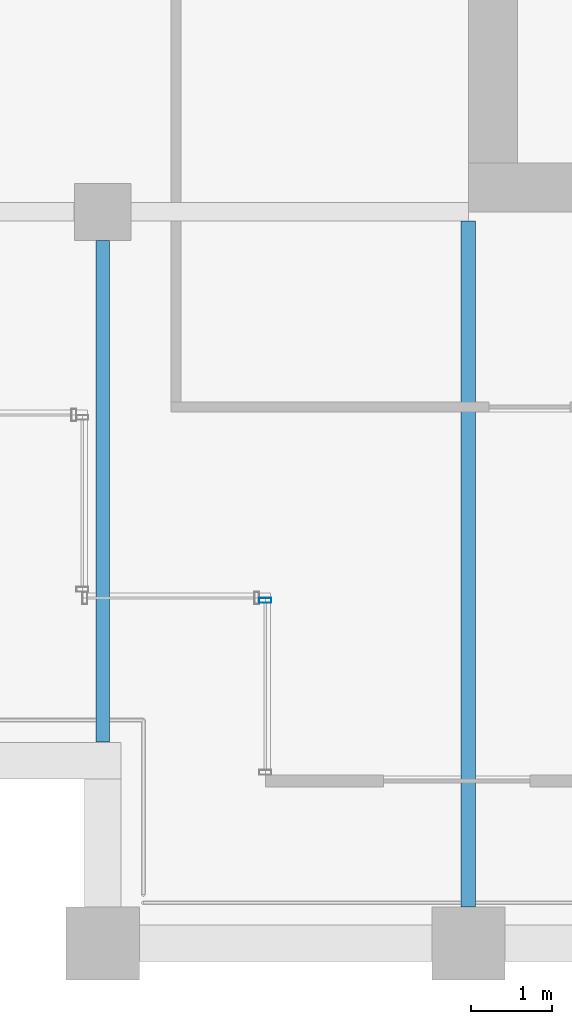
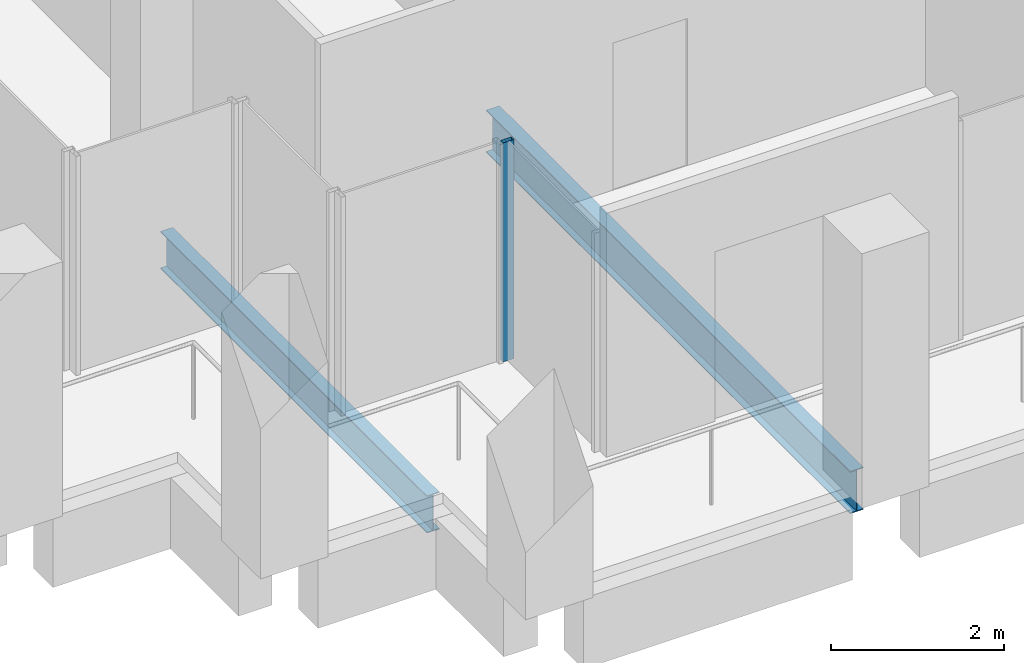
# One storey, part 29 of 40: 2 beams, 1 member, 1 element without a shape of its own.
"""IFC4 building model written with IfcOpenShell, lengths in metres."""

import ifcopenshell
import ifcopenshell.guid

model = None  # the IFC model being written
_history = None  # IfcOwnerHistory: only IFC2X3 demands one
_inside = {}  # id of a spatial element -> (the spatial element, [elements in it])
_under = {}  # id of a project, library or spatial element -> (it, [spatial elements below it])
_declared = {}  # id of a project -> (the project, [libraries it declares])
_typed = {}  # id of a type object -> (the type object, [elements of that type])
_made_of = {}  # id of a material, layer set ... -> (it, [elements and type objects made of it])


def new_model(schema):
    """Start an empty IFC model of exactly this schema.

    Asked for "IFC4X3", IfcOpenShell would pick the latest addendum, in which some entities
    have other attributes; the version numbers below select the first issue.
    IFC2X3 requires an IfcOwnerHistory on every rooted entity: one is made here for all.
    """
    global model, _history
    if schema == "IFC4X3":
        model = ifcopenshell.file(schema_version=(4, 3, 0, 0))
    else:
        model = ifcopenshell.file(schema=schema)
    _inside.clear()
    _under.clear()
    _declared.clear()
    _typed.clear()
    _made_of.clear()
    _history = None
    if model.schema == "IFC2X3":
        org = make("IfcOrganization", Name="unknown")
        user = make(
            "IfcPersonAndOrganization",
            ThePerson=make("IfcPerson", FamilyName="unknown"),
            TheOrganization=org,
        )
        app = make(
            "IfcApplication",
            ApplicationDeveloper=org,
            Version="unknown",
            ApplicationFullName="unknown",
            ApplicationIdentifier="unknown",
        )
        _history = make(
            "IfcOwnerHistory",
            OwningUser=user,
            OwningApplication=app,
            ChangeAction="ADDED",
            CreationDate=0,
        )
    return model


def make(cls, **values):
    """One entity of the class cls with the attributes given. An attribute that is None is left unset."""
    return model.create_entity(
        cls, **{name: value for name, value in values.items() if value is not None}
    )


def rooted(cls, **values):
    """An entity with a GlobalId (a new one), such as an element, a storey or a relation."""
    return make(cls, GlobalId=ifcopenshell.guid.new(), OwnerHistory=_history, **values)


def si_unit(unit_type, name, prefix=None):
    """IfcSIUnit, for example si_unit("LENGTHUNIT", "METRE", prefix="MILLI")."""
    return make("IfcSIUnit", UnitType=unit_type, Prefix=prefix, Name=name)


def assignment(units):
    """IfcUnitAssignment: the units of a project."""
    return None if units is None else make("IfcUnitAssignment", Units=units)


def point(xyz):
    """IfcCartesianPoint."""
    return None if xyz is None else make("IfcCartesianPoint", Coordinates=xyz)


def direction(xyz):
    """IfcDirection."""
    return None if xyz is None else make("IfcDirection", DirectionRatios=xyz)


def frame(location, z_axis=None, x_axis=None):
    """IfcAxis2Placement3D, a coordinate frame: its origin and axes. An axis left out is left unset."""
    return make(
        "IfcAxis2Placement3D",
        Location=point(location),
        Axis=direction(z_axis),
        RefDirection=direction(x_axis),
    )


def frame_2d(location, x_axis=None):
    """IfcAxis2Placement2D, a coordinate frame in the plane: its origin and x axis."""
    return make(
        "IfcAxis2Placement2D", Location=point(location), RefDirection=direction(x_axis)
    )


def origin():
    """The frame at (0, 0, 0) with its axes left unset."""
    return frame((0.0, 0.0, 0.0))


def origin_2d():
    """The frame at (0, 0) in the plane with its x axis left unset."""
    return frame_2d((0.0, 0.0))


def place(relative_to, where):
    """IfcLocalPlacement: puts the frame where relative to a parent placement (None: the world)."""
    return make(
        "IfcLocalPlacement", PlacementRelTo=relative_to, RelativePlacement=where
    )


def context(
    kind, dimensions, precision=None, world=None, true_north=None, identifier=None
):
    """IfcGeometricRepresentationContext, for example the 3D "Model" context."""
    return make(
        "IfcGeometricRepresentationContext",
        ContextIdentifier=identifier,
        ContextType=kind,
        CoordinateSpaceDimension=dimensions,
        Precision=precision,
        WorldCoordinateSystem=world,
        TrueNorth=true_north,
    )


def subcontext(parent, identifier, kind, view, scale=None):
    """IfcGeometricRepresentationSubContext, for example "Body" below "Model"."""
    return make(
        "IfcGeometricRepresentationSubContext",
        ContextIdentifier=identifier,
        ContextType=kind,
        ParentContext=parent,
        TargetScale=scale,
        TargetView=view,
    )


def project(units=None, contexts=None):
    """IfcProject with its units and contexts."""
    return rooted(
        "IfcProject",
        Name="project",
        RepresentationContexts=contexts,
        UnitsInContext=assignment(units),
    )


def spatial(cls, under=None, at=None, **own):
    """A site, building, storey or space (cls), placed at a placement, below another one or the project."""
    s = rooted(cls, ObjectPlacement=at, **own)
    if under is not None:
        _under.setdefault(under.id(), (under, []))[1].append(s)
    return s


def profile(cls, at=None, kind="AREA", **sizes):
    """A parametric profile (cls). Its sizes go by their IFC names, for example OverallWidth=200.0."""
    return make(cls, ProfileType=kind, Position=at, **sizes)


def hollow_rectangle(**sizes):
    """IfcRectangleHollowProfileDef."""
    return profile("IfcRectangleHollowProfileDef", **sizes)


def i_section(**sizes):
    """IfcIShapeProfileDef."""
    return profile("IfcIShapeProfileDef", **sizes)


def extrude(swept, where, along, depth):
    """IfcExtrudedAreaSolid: the profile swept, set in the frame where, extruded along a direction by depth."""
    return make(
        "IfcExtrudedAreaSolid",
        SweptArea=swept,
        Position=where,
        ExtrudedDirection=direction(along),
        Depth=depth,
    )


def shape(context_of_items, identifier, shape_type, items):
    """IfcShapeRepresentation: the items that make up one representation, for example the "Body"."""
    return make(
        "IfcShapeRepresentation",
        ContextOfItems=context_of_items,
        RepresentationIdentifier=identifier,
        RepresentationType=shape_type,
        Items=items,
    )


def material(Name=None, Category=None):
    """IfcMaterial."""
    return make("IfcMaterial", Name=Name, Category=Category)


def material_profile(
    of_material, cross_section, Name=None, Category=None, Priority=None
):
    """IfcMaterialProfile: a cross section and its material."""
    return make(
        "IfcMaterialProfile",
        Name=Name,
        Material=of_material,
        Profile=cross_section,
        Priority=Priority,
        Category=Category,
    )


def profile_set(profiles, Name=None, composite=None):
    """IfcMaterialProfileSet."""
    return make(
        "IfcMaterialProfileSet",
        Name=Name,
        MaterialProfiles=profiles,
        CompositeProfile=composite,
    )


def made_of(thing, what):
    """Note that an element or type object is made of a material, layer set ...; save() writes the relation."""
    if what is not None:
        _made_of.setdefault(what.id(), (what, []))[1].append(thing)
    return thing


def type_object(cls, material=None, **own):
    """A type object (cls), such as IfcWallType, which elements share."""
    return made_of(rooted(cls, **own), material)


def element(
    cls,
    number,
    at=None,
    inside=None,
    cuts=None,
    type_object=None,
    material=None,
    context=None,
    identifier="Body",
    shape_type=None,
    held_by="IfcProductDefinitionShape",
    body=None,
    shapes=None,
    **own,
):
    """One element of the class cls, such as IfcWall. Its Tag is "e" and its number.

    at: its placement. inside: the storey or other place that contains it. cuts: it is an
    opening in that element (IfcRelVoidsElement). A single representation is given by context,
    identifier, shape_type and body (its items); several are given by shapes. held_by: the class
    of the entity that holds the representations. save() writes the other relations.
    """
    e = rooted(cls, Tag="e%d" % number, ObjectPlacement=at, **own)
    if body is not None:
        shapes = [shape(context, identifier, shape_type, body)]
    if shapes is not None:
        e.Representation = make(held_by, Representations=shapes)
    if inside is not None:
        _inside.setdefault(inside.id(), (inside, []))[1].append(e)
    if cuts is not None:
        rooted(
            "IfcRelVoidsElement", RelatingBuildingElement=cuts, RelatedOpeningElement=e
        )
    if type_object is not None:
        _typed.setdefault(type_object.id(), (type_object, []))[1].append(e)
    return made_of(e, material)


def aggregate(whole, parts):
    """IfcRelAggregates: a whole, such as a stair, and the parts it consists of."""
    return rooted("IfcRelAggregates", RelatingObject=whole, RelatedObjects=parts)


def save(model, path):
    """Write the relations noted so far, then the file.

    IfcRelAggregates (storeys below a building ...), IfcRelContainedInSpatialStructure (elements
    in a storey), IfcRelDefinesByType, IfcRelAssociatesMaterial and IfcRelDeclares: one each for
    every whole, place, type object, material and project.
    """
    for whole, parts in _under.values():
        aggregate(whole, parts)
    for where, things in _inside.values():
        rooted(
            "IfcRelContainedInSpatialStructure",
            RelatedElements=things,
            RelatingStructure=where,
        )
    for kind, things in _typed.values():
        rooted("IfcRelDefinesByType", RelatedObjects=things, RelatingType=kind)
    for what, things in _made_of.values():
        rooted("IfcRelAssociatesMaterial", RelatedObjects=things, RelatingMaterial=what)
    for by, libraries in _declared.values():
        rooted("IfcRelDeclares", RelatingContext=by, RelatedDefinitions=libraries)
    model.write(path)


model = new_model("IFC4")

# Units and contexts
model_context = context("Model", 3, precision=1e-05, world=origin(), true_north=direction((0.0, 1.0)))
body_context = subcontext(model_context, "Body", "Model", "MODEL_VIEW")
ifc_project = project(units=[si_unit("LENGTHUNIT", "METRE"), si_unit("AREAUNIT", "SQUARE_METRE"), si_unit("VOLUMEUNIT", "CUBIC_METRE"), si_unit("PLANEANGLEUNIT", "RADIAN"), si_unit("MASSUNIT", "GRAM", prefix="KILO")], contexts=[model_context])

# Site, building, storey
site_placement = place(None, origin())
site = spatial("IfcSite", under=ifc_project, at=site_placement, CompositionType="ELEMENT")
building_placement = place(site_placement, origin())
building = spatial("IfcBuilding", under=site, at=building_placement, Name="Altepetl Exchange Towers", CompositionType="ELEMENT")
storey_placement = place(building_placement, frame((0.0, 0.0, 151.0)))
storey = spatial("IfcBuildingStorey", under=building, at=storey_placement, Name="L37", CompositionType="ELEMENT", Elevation=151.0)

# Beams
ifc_material_1 = material(Name="Steel S355", Category="steel")
ifc_material_profile_1 = material_profile(ifc_material_1, i_section(OverallWidth=0.166015625, OverallDepth=0.529052734375, WebThickness=0.009765625, FlangeThickness=0.013671875, at=origin_2d()), Name="W21X50")
ifc_profile_set_1 = profile_set([ifc_material_profile_1], Name="Steel S355")
beam_type_1 = type_object("IfcBeamType", Name="Floor beam W21X50", PredefinedType="BEAM", material=ifc_profile_set_1)
beam_1_placement = place(storey_placement, frame((99.0, 29.47509765625, -0.41455078125), z_axis=(0.0, 1.0, 0.0), x_axis=(-1.0, 0.0, 0.0)))
element("IfcBeam", 1, at=beam_1_placement, inside=storey, type_object=beam_type_1, Name="bm:B:L37:000", PredefinedType="BEAM", context=body_context, shape_type="SweptSolid", body=[
    extrude(i_section(OverallWidth=0.166015625, OverallDepth=0.529052734375, WebThickness=0.009765625, FlangeThickness=0.013671875, at=origin_2d()), origin(), (0.0, 0.0, 1.0), 6.1748046875),
])
ifc_material_profile_2 = material_profile(ifc_material_1, i_section(OverallWidth=0.177978515625, OverallDepth=0.59912109375, WebThickness=0.010009765625, FlangeThickness=0.0126953125, at=origin_2d()), Name="W24X55")
ifc_profile_set_2 = profile_set([ifc_material_profile_2], Name="Steel S355")
beam_type_2 = type_object("IfcBeamType", Name="Floor beam W24X55", PredefinedType="BEAM", material=ifc_profile_set_2)
beam_2_placement = place(storey_placement, frame((103.5, 27.449951171875, -0.449462890625), z_axis=(0.0, 1.0, 0.0), x_axis=(-1.0, 0.0, 0.0)))
element("IfcBeam", 2, at=beam_2_placement, inside=storey, type_object=beam_type_2, Name="bm:B:L37:001", PredefinedType="BEAM", context=body_context, shape_type="SweptSolid", body=[
    extrude(i_section(OverallWidth=0.177978515625, OverallDepth=0.59912109375, WebThickness=0.010009765625, FlangeThickness=0.0126953125, at=origin_2d()), origin(), (0.0, 0.0, 1.0), 8.43603515625),
])

# Curtain wall, member
ifc_material_2 = material(Name="Aluminium 6063-T6 glazing", Category="aluminium")
curtain_wall_type = type_object("IfcCurtainWallType", Name="Loggia glazing system", PredefinedType="NOTDEFINED", material=ifc_material_2)
curtain_wall_placement = place(storey_placement, origin())
curtain_wall = element("IfcCurtainWall", 3, at=curtain_wall_placement, inside=storey, type_object=curtain_wall_type, Name="CW1 run", PredefinedType="NOTDEFINED")
ifc_material_3 = material(Name="Aluminium 6063-T6", Category="aluminium")
ifc_material_profile_3 = material_profile(ifc_material_3, hollow_rectangle(XDim=0.06005859375, YDim=0.14990234375, WallThickness=0.0029296875, at=origin_2d()), Name="Mullion 60x150 aluminium")
ifc_profile_set_3 = profile_set([ifc_material_profile_3], Name="Aluminium 6063-T6")
member_type = type_object("IfcMemberType", Name="Mullion 60x150 aluminium", PredefinedType="MULLION", material=ifc_profile_set_3)
member_placement = place(storey_placement, frame((101.0, 31.219970703125, 0.0), z_axis=(0.0, 0.0, 1.0), x_axis=(0.0, -1.0, 0.0)))
member = element("IfcMember", 4, at=member_placement, type_object=member_type, Name="MU1 mullion", PredefinedType="MULLION", context=body_context, shape_type="SweptSolid", body=[
    extrude(hollow_rectangle(XDim=0.06005859375, YDim=0.14990234375, WallThickness=0.0029296875, at=origin_2d()), origin(), (0.0, 0.0, 1.0), 3.10009765625),
])
aggregate(curtain_wall, [member])

save(model, "model.ifc")
